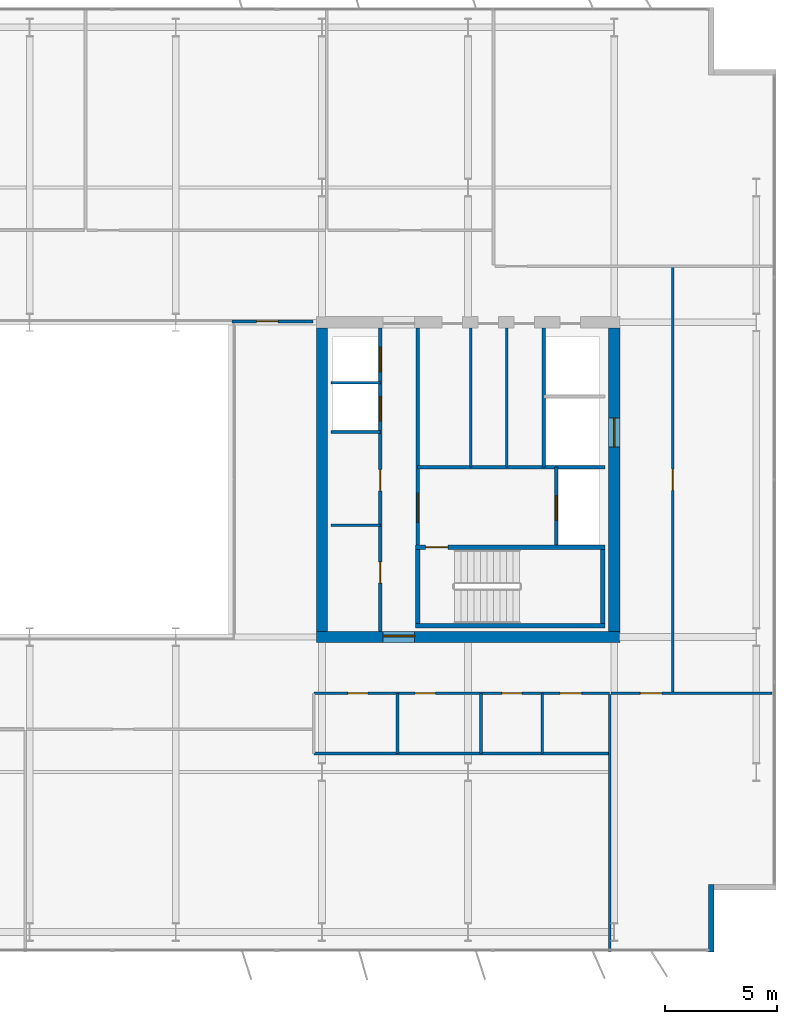
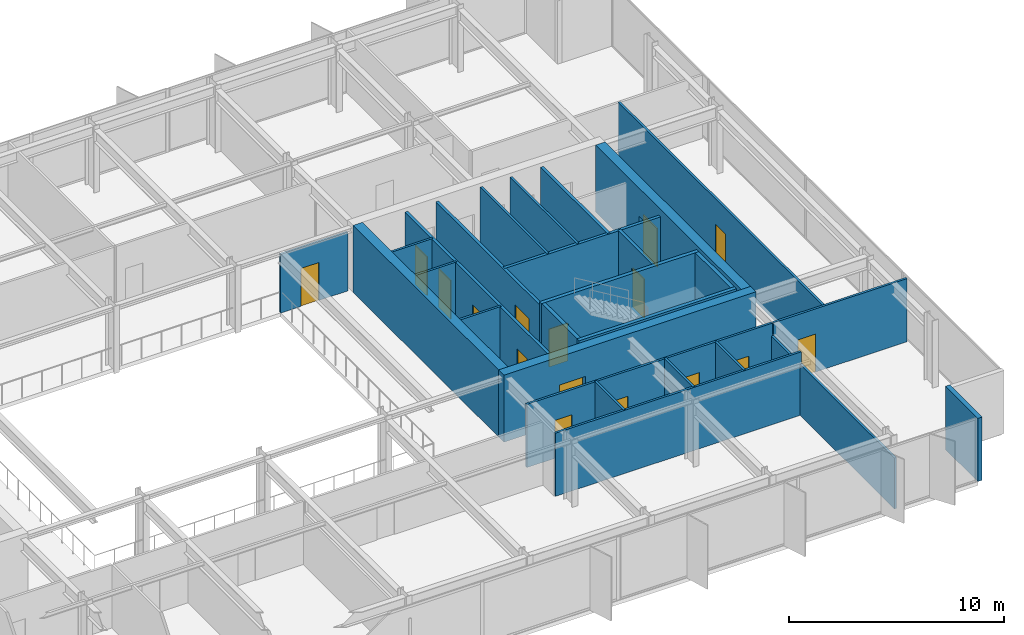
# One storey, part 18 of 23: 27 walls, 16 doors, 16 openings.
"""IFC4 building model written with IfcOpenShell, lengths in metres."""

import ifcopenshell
import ifcopenshell.guid

model = None  # the IFC model being written
_history = None  # IfcOwnerHistory: only IFC2X3 demands one
_inside = {}  # id of a spatial element -> (the spatial element, [elements in it])
_under = {}  # id of a project, library or spatial element -> (it, [spatial elements below it])
_declared = {}  # id of a project -> (the project, [libraries it declares])
_typed = {}  # id of a type object -> (the type object, [elements of that type])
_made_of = {}  # id of a material, layer set ... -> (it, [elements and type objects made of it])


def new_model(schema):
    """Start an empty IFC model of exactly this schema.

    Asked for "IFC4X3", IfcOpenShell would pick the latest addendum, in which some entities
    have other attributes; the version numbers below select the first issue.
    IFC2X3 requires an IfcOwnerHistory on every rooted entity: one is made here for all.
    """
    global model, _history
    if schema == "IFC4X3":
        model = ifcopenshell.file(schema_version=(4, 3, 0, 0))
    else:
        model = ifcopenshell.file(schema=schema)
    _inside.clear()
    _under.clear()
    _declared.clear()
    _typed.clear()
    _made_of.clear()
    _history = None
    if model.schema == "IFC2X3":
        org = make("IfcOrganization", Name="unknown")
        user = make(
            "IfcPersonAndOrganization",
            ThePerson=make("IfcPerson", FamilyName="unknown"),
            TheOrganization=org,
        )
        app = make(
            "IfcApplication",
            ApplicationDeveloper=org,
            Version="unknown",
            ApplicationFullName="unknown",
            ApplicationIdentifier="unknown",
        )
        _history = make(
            "IfcOwnerHistory",
            OwningUser=user,
            OwningApplication=app,
            ChangeAction="ADDED",
            CreationDate=0,
        )
    return model


def make(cls, **values):
    """One entity of the class cls with the attributes given. An attribute that is None is left unset."""
    return model.create_entity(
        cls, **{name: value for name, value in values.items() if value is not None}
    )


def rooted(cls, **values):
    """An entity with a GlobalId (a new one), such as an element, a storey or a relation."""
    return make(cls, GlobalId=ifcopenshell.guid.new(), OwnerHistory=_history, **values)


def si_unit(unit_type, name, prefix=None):
    """IfcSIUnit, for example si_unit("LENGTHUNIT", "METRE", prefix="MILLI")."""
    return make("IfcSIUnit", UnitType=unit_type, Prefix=prefix, Name=name)


def assignment(units):
    """IfcUnitAssignment: the units of a project."""
    return None if units is None else make("IfcUnitAssignment", Units=units)


def point(xyz):
    """IfcCartesianPoint."""
    return None if xyz is None else make("IfcCartesianPoint", Coordinates=xyz)


def direction(xyz):
    """IfcDirection."""
    return None if xyz is None else make("IfcDirection", DirectionRatios=xyz)


def frame(location, z_axis=None, x_axis=None):
    """IfcAxis2Placement3D, a coordinate frame: its origin and axes. An axis left out is left unset."""
    return make(
        "IfcAxis2Placement3D",
        Location=point(location),
        Axis=direction(z_axis),
        RefDirection=direction(x_axis),
    )


def frame_2d(location, x_axis=None):
    """IfcAxis2Placement2D, a coordinate frame in the plane: its origin and x axis."""
    return make(
        "IfcAxis2Placement2D", Location=point(location), RefDirection=direction(x_axis)
    )


def origin():
    """The frame at (0, 0, 0) with its axes left unset."""
    return frame((0.0, 0.0, 0.0))


def place(relative_to, where):
    """IfcLocalPlacement: puts the frame where relative to a parent placement (None: the world)."""
    return make(
        "IfcLocalPlacement", PlacementRelTo=relative_to, RelativePlacement=where
    )


def context(
    kind, dimensions, precision=None, world=None, true_north=None, identifier=None
):
    """IfcGeometricRepresentationContext, for example the 3D "Model" context."""
    return make(
        "IfcGeometricRepresentationContext",
        ContextIdentifier=identifier,
        ContextType=kind,
        CoordinateSpaceDimension=dimensions,
        Precision=precision,
        WorldCoordinateSystem=world,
        TrueNorth=true_north,
    )


def subcontext(parent, identifier, kind, view, scale=None):
    """IfcGeometricRepresentationSubContext, for example "Body" below "Model"."""
    return make(
        "IfcGeometricRepresentationSubContext",
        ContextIdentifier=identifier,
        ContextType=kind,
        ParentContext=parent,
        TargetScale=scale,
        TargetView=view,
    )


def project(units=None, contexts=None):
    """IfcProject with its units and contexts."""
    return rooted(
        "IfcProject",
        Name="project",
        RepresentationContexts=contexts,
        UnitsInContext=assignment(units),
    )


def spatial(cls, under=None, at=None, **own):
    """A site, building, storey or space (cls), placed at a placement, below another one or the project."""
    s = rooted(cls, ObjectPlacement=at, **own)
    if under is not None:
        _under.setdefault(under.id(), (under, []))[1].append(s)
    return s


def profile(cls, at=None, kind="AREA", **sizes):
    """A parametric profile (cls). Its sizes go by their IFC names, for example OverallWidth=200.0."""
    return make(cls, ProfileType=kind, Position=at, **sizes)


def rectangle(**sizes):
    """IfcRectangleProfileDef."""
    return profile("IfcRectangleProfileDef", **sizes)


def extrude(swept, where, along, depth):
    """IfcExtrudedAreaSolid: the profile swept, set in the frame where, extruded along a direction by depth."""
    return make(
        "IfcExtrudedAreaSolid",
        SweptArea=swept,
        Position=where,
        ExtrudedDirection=direction(along),
        Depth=depth,
    )


def shape(context_of_items, identifier, shape_type, items):
    """IfcShapeRepresentation: the items that make up one representation, for example the "Body"."""
    return make(
        "IfcShapeRepresentation",
        ContextOfItems=context_of_items,
        RepresentationIdentifier=identifier,
        RepresentationType=shape_type,
        Items=items,
    )


def material(Name=None, Category=None):
    """IfcMaterial."""
    return make("IfcMaterial", Name=Name, Category=Category)


def layer(
    of_material, thickness, ventilated=None, Name=None, Category=None, Priority=None
):
    """IfcMaterialLayer: one layer of a wall or slab, of a material (None: an air gap)."""
    return make(
        "IfcMaterialLayer",
        Material=of_material,
        LayerThickness=thickness,
        IsVentilated=ventilated,
        Name=Name,
        Category=Category,
        Priority=Priority,
    )


def layer_set(layers, Name=None):
    """IfcMaterialLayerSet."""
    return make("IfcMaterialLayerSet", MaterialLayers=layers, LayerSetName=Name)


def made_of(thing, what):
    """Note that an element or type object is made of a material, layer set ...; save() writes the relation."""
    if what is not None:
        _made_of.setdefault(what.id(), (what, []))[1].append(thing)
    return thing


def type_object(cls, material=None, **own):
    """A type object (cls), such as IfcWallType, which elements share."""
    return made_of(rooted(cls, **own), material)


def element(
    cls,
    number,
    at=None,
    inside=None,
    cuts=None,
    type_object=None,
    material=None,
    context=None,
    identifier="Body",
    shape_type=None,
    held_by="IfcProductDefinitionShape",
    body=None,
    shapes=None,
    **own,
):
    """One element of the class cls, such as IfcWall. Its Tag is "e" and its number.

    at: its placement. inside: the storey or other place that contains it. cuts: it is an
    opening in that element (IfcRelVoidsElement). A single representation is given by context,
    identifier, shape_type and body (its items); several are given by shapes. held_by: the class
    of the entity that holds the representations. save() writes the other relations.
    """
    e = rooted(cls, Tag="e%d" % number, ObjectPlacement=at, **own)
    if body is not None:
        shapes = [shape(context, identifier, shape_type, body)]
    if shapes is not None:
        e.Representation = make(held_by, Representations=shapes)
    if inside is not None:
        _inside.setdefault(inside.id(), (inside, []))[1].append(e)
    if cuts is not None:
        rooted(
            "IfcRelVoidsElement", RelatingBuildingElement=cuts, RelatedOpeningElement=e
        )
    if type_object is not None:
        _typed.setdefault(type_object.id(), (type_object, []))[1].append(e)
    return made_of(e, material)


def fill(opening, filler):
    """IfcRelFillsElement: the door or window that sits in an opening."""
    return rooted(
        "IfcRelFillsElement",
        RelatingOpeningElement=opening,
        RelatedBuildingElement=filler,
    )


def aggregate(whole, parts):
    """IfcRelAggregates: a whole, such as a stair, and the parts it consists of."""
    return rooted("IfcRelAggregates", RelatingObject=whole, RelatedObjects=parts)


def save(model, path):
    """Write the relations noted so far, then the file.

    IfcRelAggregates (storeys below a building ...), IfcRelContainedInSpatialStructure (elements
    in a storey), IfcRelDefinesByType, IfcRelAssociatesMaterial and IfcRelDeclares: one each for
    every whole, place, type object, material and project.
    """
    for whole, parts in _under.values():
        aggregate(whole, parts)
    for where, things in _inside.values():
        rooted(
            "IfcRelContainedInSpatialStructure",
            RelatedElements=things,
            RelatingStructure=where,
        )
    for kind, things in _typed.values():
        rooted("IfcRelDefinesByType", RelatedObjects=things, RelatingType=kind)
    for what, things in _made_of.values():
        rooted("IfcRelAssociatesMaterial", RelatedObjects=things, RelatingMaterial=what)
    for by, libraries in _declared.values():
        rooted("IfcRelDeclares", RelatingContext=by, RelatedDefinitions=libraries)
    model.write(path)


model = new_model("IFC4")

# Units and contexts
model_context = context("Model", 3, precision=1e-05, world=origin(), true_north=direction((0.0, 1.0)))
body_context = subcontext(model_context, "Body", "Model", "MODEL_VIEW")
ifc_project = project(units=[si_unit("LENGTHUNIT", "METRE"), si_unit("AREAUNIT", "SQUARE_METRE"), si_unit("VOLUMEUNIT", "CUBIC_METRE"), si_unit("PLANEANGLEUNIT", "RADIAN"), si_unit("MASSUNIT", "GRAM", prefix="KILO")], contexts=[model_context])

# Site, building, storey
site_placement = place(None, origin())
site = spatial("IfcSite", under=ifc_project, at=site_placement, CompositionType="ELEMENT")
building_placement = place(site_placement, origin())
building = spatial("IfcBuilding", under=site, at=building_placement, Name="Putna Gate Headquarters", CompositionType="ELEMENT")
storey_placement = place(building_placement, frame((0.0, 0.0, 217.60009765625)))
storey = spatial("IfcBuildingStorey", under=building, at=storey_placement, Name="L54", CompositionType="ELEMENT", Elevation=217.60009765625)

# Wall, opening, door
ifc_material_1 = material(Name="Concrete C50/60", Category="concrete")
ifc_layer_1 = layer(ifc_material_1, 0.5)
ifc_layer_set_1 = layer_set([ifc_layer_1], Name="Concrete C50/60")
wall_type_1 = type_object("IfcWallType", Name="WALL-CORE-500", PredefinedType="SHEAR", material=ifc_layer_set_1)
wall_1_placement = place(storey_placement, frame((51.75, 19.0, 0.0), z_axis=(0.0, 0.0, 1.0), x_axis=(1.0, 0.0, 0.0)))
wall_1 = element("IfcWall", 1, at=wall_1_placement, inside=storey, type_object=wall_type_1, Name="L54 EC Split Core Shear Wall S", PredefinedType="SHEAR", context=body_context, shape_type="SweptSolid", body=[
    extrude(rectangle(XDim=13.5, YDim=0.5, at=frame_2d((6.75, 0.0))), origin(), (0.0, 0.0, 1.0), 3.7998046875),
])
opening_1_placement = place(wall_1_placement, frame((2.969970703125, 0.0, 0.0)))
opening_1 = element("IfcOpeningElement", 2, at=opening_1_placement, cuts=wall_1, Name="Opening FDD-140", PredefinedType="OPENING", context=body_context, shape_type="SweptSolid", body=[
    extrude(rectangle(XDim=1.39990234375, YDim=2.199951171875, at=frame_2d((0.699951171875, 1.10009765625))), frame((0.0, 0.260009765625, 0.0), z_axis=(0.0, -1.0, 0.0), x_axis=(1.0, 0.0, 0.0)), (0.0, 0.0, 1.0), 0.52001953125),
])
ifc_material_2 = material(Name="Double steel fire door", Category="steel")
door_type_1 = type_object("IfcDoorType", Name="DOOR-FIRE-DBL-1400", OperationType="DOUBLE_DOOR_SINGLE_SWING", PredefinedType="DOOR", material=ifc_material_2)
door_1_placement = place(opening_1_placement, origin())
door_1 = element("IfcDoor", 3, at=door_1_placement, inside=storey, type_object=door_type_1, Name="L54 East Lift Lobby South Door", OperationType="DOUBLE_DOOR_SINGLE_SWING", OverallHeight=2.199951171875, OverallWidth=1.39990234375, PredefinedType="DOOR", context=body_context, shape_type="SweptSolid", body=[
    extrude(rectangle(XDim=1.39990234375, YDim=2.199951171875, at=frame_2d((0.699951171875, 1.10009765625))), frame((0.0, 0.0751953125, 0.0), z_axis=(0.0, -1.0, 0.0), x_axis=(1.0, 0.0, 0.0)), (0.0, 0.0, 1.0), 0.050048828125),
])
fill(opening_1, door_1)

# Wall
wall_2_placement = place(storey_placement, frame((52.0, 19.25, 0.0), z_axis=(0.0, 0.0, 1.0), x_axis=(0.0, 1.0, 0.0)))
element("IfcWall", 4, at=wall_2_placement, inside=storey, type_object=wall_type_1, Name="L54 EC Split Core Shear Wall W", PredefinedType="SHEAR", context=body_context, shape_type="SweptSolid", body=[
    extrude(rectangle(XDim=13.5, YDim=0.5, at=frame_2d((6.75, 0.0))), origin(), (0.0, 0.0, 1.0), 3.7998046875),
])

# Wall, opening, door
wall_3_placement = place(storey_placement, frame((65.0, 19.25, 0.0), z_axis=(0.0, 0.0, 1.0), x_axis=(0.0, 1.0, 0.0)))
wall_3 = element("IfcWall", 5, at=wall_3_placement, inside=storey, type_object=wall_type_1, Name="L54 EC Split Core Shear Wall E", PredefinedType="SHEAR", context=body_context, shape_type="SweptSolid", body=[
    extrude(rectangle(XDim=13.5, YDim=0.5, at=frame_2d((6.75, 0.0))), origin(), (0.0, 0.0, 1.0), 3.7998046875),
])
opening_2_placement = place(wall_3_placement, frame((8.199951171875, 0.0, 0.0)))
opening_2 = element("IfcOpeningElement", 6, at=opening_2_placement, cuts=wall_3, Name="Opening LD-2", PredefinedType="OPENING", context=body_context, shape_type="SweptSolid", body=[
    extrude(rectangle(XDim=1.300048828125, YDim=2.199951171875, at=frame_2d((0.64990234375, 1.10009765625))), frame((0.0, 0.260009765625, 0.0), z_axis=(0.0, -1.0, 0.0), x_axis=(1.0, 0.0, 0.0)), (0.0, 0.0, 1.0), 0.52001953125),
])
ifc_material_3 = material(Name="Heavy-duty goods lift sliding landing door")
door_type_2 = type_object("IfcDoorType", Name="DOOR-LIFT-1300", OperationType="DOUBLE_DOOR_SLIDING", PredefinedType="DOOR", material=ifc_material_3)
door_2_placement = place(opening_2_placement, origin())
door_2 = element("IfcDoor", 7, at=door_2_placement, inside=storey, type_object=door_type_2, Name="L54 Goods Lift Landing Door LD-15", OperationType="DOUBLE_DOOR_SLIDING", OverallHeight=2.199951171875, OverallWidth=1.300048828125, PredefinedType="DOOR", context=body_context, shape_type="SweptSolid", body=[
    extrude(rectangle(XDim=1.300048828125, YDim=2.199951171875, at=frame_2d((0.64990234375, 1.10009765625))), frame((0.0, 0.02490234375, 0.0), z_axis=(0.0, -1.0, 0.0), x_axis=(1.0, 0.0, 0.0)), (0.0, 0.0, 1.0), 0.050048828125),
])
fill(opening_2, door_2)

# Wall
ifc_material_4 = material(Name="Precast concrete C40/50", Category="concrete")
ifc_layer_2 = layer(ifc_material_4, 0.239990234375)
ifc_layer_set_2 = layer_set([ifc_layer_2], Name="Precast concrete C40/50")
wall_type_2 = type_object("IfcWallType", Name="WALL-EXT-TERR-240", PredefinedType="STANDARD", material=ifc_layer_set_2)
wall_4_placement = place(storey_placement, frame((69.320068359375, 8.0, 0.0), z_axis=(0.0, 0.0, 1.0), x_axis=(0.0, -1.0, 0.0)))
element("IfcWall", 8, at=wall_4_placement, inside=storey, type_object=wall_type_2, Name="L54 Corner Notch Return Wall SE-V", PredefinedType="STANDARD", context=body_context, shape_type="SweptSolid", body=[
    extrude(rectangle(XDim=3.0, YDim=0.239990234375, at=frame_2d((1.5, 0.0))), origin(), (0.0, 0.0, 1.0), 3.579833984375),
])

# Wall, opening, door
ifc_material_5 = material(Name="Acoustic gypsum board on metal stud")
ifc_layer_3 = layer(ifc_material_5, 0.1201171875)
ifc_layer_set_3 = layer_set([ifc_layer_3], Name="Acoustic gypsum board on metal stud")
wall_type_3 = type_object("IfcWallType", Name="WALL-PART-120", PredefinedType="PARTITIONING", material=ifc_layer_set_3)
wall_5_placement = place(storey_placement, frame((48.0, 33.0400390625, 0.0), z_axis=(0.0, 0.0, 1.0), x_axis=(1.0, 0.0, 0.0)))
wall_5 = element("IfcWall", 9, at=wall_5_placement, inside=storey, type_object=wall_type_3, Name="L54 Interior Wall PART-L54-ATR-E-N", PredefinedType="PARTITIONING", context=body_context, shape_type="SweptSolid", body=[
    extrude(rectangle(XDim=3.60009765625, YDim=0.1201171875, at=frame_2d((1.800048828125, 0.0))), origin(), (0.0, 0.0, 1.0), 3.31982421875),
])
opening_3_placement = place(wall_5_placement, frame((1.10009765625, 0.0, 0.0)))
opening_3 = element("IfcOpeningElement", 10, at=opening_3_placement, cuts=wall_5, Name="Opening ID-95", PredefinedType="OPENING", context=body_context, shape_type="SweptSolid", body=[
    extrude(rectangle(XDim=0.949951171875, YDim=2.14990234375, at=frame_2d((0.47509765625, 1.074951171875))), frame((0.0, 0.070068359375, 0.0), z_axis=(0.0, -1.0, 0.0), x_axis=(1.0, 0.0, 0.0)), (0.0, 0.0, 1.0), 0.14013671875),
])
ifc_material_6 = material(Name="Veneered acoustic timber door", Category="wood")
door_type_3 = type_object("IfcDoorType", Name="DOOR-OFF-950", OperationType="NOTDEFINED", PredefinedType="DOOR", material=ifc_material_6)
door_3_placement = place(opening_3_placement, origin())
door_3 = element("IfcDoor", 11, at=door_3_placement, inside=storey, type_object=door_type_3, Name="L54 East Sky Atrium Lounge Door", OperationType="SINGLE_SWING_LEFT", OverallHeight=2.14990234375, OverallWidth=0.949951171875, PredefinedType="DOOR", context=body_context, shape_type="SweptSolid", body=[
    extrude(rectangle(XDim=0.949951171875, YDim=2.14990234375, at=frame_2d((0.47509765625, 1.074951171875))), frame((0.0, 0.02490234375, 0.0), z_axis=(0.0, -1.0, 0.0), x_axis=(1.0, 0.0, 0.0)), (0.0, 0.0, 1.0), 0.050048828125),
])
fill(opening_3, door_3)

# Walls
wall_6_placement = place(storey_placement, frame((64.800048828125, 5.02001953125, 0.0), z_axis=(0.0, 0.0, 1.0), x_axis=(0.0, 1.0, 0.0)))
element("IfcWall", 12, at=wall_6_placement, inside=storey, type_object=wall_type_3, Name="L54 Interior Wall PART-L54-SB-DIV-07", PredefinedType="PARTITIONING", context=body_context, shape_type="SweptSolid", body=[
    extrude(rectangle(XDim=11.419921875, YDim=0.1201171875, at=frame_2d((5.7099609375, 0.0))), origin(), (0.0, 0.0, 1.0), 2.8798828125),
])
ifc_material_7 = material(Name="Fire-rated shaftwall gypsum board on metal stud")
ifc_layer_4 = layer(ifc_material_7, 0.1201171875)
ifc_layer_set_4 = layer_set([ifc_layer_4], Name="Fire-rated shaftwall gypsum board on metal stud")
wall_type_4 = type_object("IfcWallType", Name="WALL-PART-120-EI120", PredefinedType="PARTITIONING", material=ifc_layer_set_4)
wall_7_placement = place(storey_placement, frame((52.39990234375, 30.31005859375, 0.0), z_axis=(0.0, 0.0, 1.0), x_axis=(1.0, 0.0, 0.0)))
element("IfcWall", 13, at=wall_7_placement, inside=storey, type_object=wall_type_4, Name="L54 Interior Wall CWINT-L54-EC-LF11-DIV", PredefinedType="PARTITIONING", context=body_context, shape_type="SweptSolid", body=[
    extrude(rectangle(XDim=2.2001953125, YDim=0.1201171875, at=frame_2d((1.10009765625, 0.0))), origin(), (0.0, 0.0, 1.0), 3.579833984375),
])
ifc_material_8 = material(Name="Fire-rated gypsum board on metal stud")
ifc_layer_5 = layer(ifc_material_8, 0.1201171875)
ifc_layer_set_5 = layer_set([ifc_layer_5], Name="Fire-rated gypsum board on metal stud")
wall_type_5 = type_object("IfcWallType", Name="WALL-PART-120-RATED", PredefinedType="PARTITIONING", material=ifc_layer_set_5)
for number, where, z_axis, x_axis, name in (
    (14, (52.39990234375, 23.969970703125, 0.0), (0.0, 0.0, 1.0), (1.0, 0.0, 0.0), "L54 Interior Wall CWINT-L54-EC-REUSE-DIV"),
    (15, (52.39990234375, 28.1201171875, 0.0), (0.0, 0.0, 1.0), (1.0, 0.0, 0.0), "L54 Interior Wall CWINT-L54-EC-LF08-DIV"),
):
    element("IfcWall", number, at=place(storey_placement, frame(where, z_axis=z_axis, x_axis=x_axis)), inside=storey, type_object=wall_type_5, Name=name, PredefinedType="PARTITIONING", context=body_context, shape_type="SweptSolid", body=[
        extrude(rectangle(XDim=2.2001953125, YDim=0.1201171875, at=frame_2d((1.10009765625, 0.0))), origin(), (0.0, 0.0, 1.0), 3.579833984375),
    ])
for number, where, z_axis, x_axis, name in (
    (16, (58.6201171875, 26.56005859375, 0.0), (0.0, 0.0, 1.0), (0.0, 1.0, 0.0), "L54 Interior Wall CWINT-L54-EC-K2-D1"),
    (17, (60.219970703125, 26.56005859375, 0.0), (0.0, 0.0, 1.0), (0.0, 1.0, 0.0), "L54 Interior Wall CWINT-L54-EC-K2-D2"),
):
    element("IfcWall", number, at=place(storey_placement, frame(where, z_axis=z_axis, x_axis=x_axis)), inside=storey, type_object=wall_type_5, Name=name, PredefinedType="PARTITIONING", context=body_context, shape_type="SweptSolid", body=[
        extrude(rectangle(XDim=6.18994140625, YDim=0.1201171875, at=frame_2d((3.094970703125, 0.0))), origin(), (0.0, 0.0, 1.0), 3.579833984375),
    ])

# Wall, openings, doors
wall_8_placement = place(storey_placement, frame((51.639892578125, 16.5, 0.0), z_axis=(0.0, 0.0, 1.0), x_axis=(1.0, 0.0, 0.0)))
wall_8 = element("IfcWall", 18, at=wall_8_placement, inside=storey, type_object=wall_type_5, Name="L54 Interior Wall PART-L54-SAN-CW", PredefinedType="PARTITIONING", context=body_context, shape_type="SweptSolid", body=[
    extrude(rectangle(XDim=13.16015625, YDim=0.1201171875, at=frame_2d((6.580078125, 0.0))), origin(), (0.0, 0.0, 1.0), 3.579833984375),
])
opening_4_placement = place(wall_8_placement, frame((1.510009765625, 0.0, 0.0)))
opening_4 = element("IfcOpeningElement", 19, at=opening_4_placement, cuts=wall_8, Name="Opening FD-90", PredefinedType="OPENING", context=body_context, shape_type="SweptSolid", body=[
    extrude(rectangle(XDim=0.89990234375, YDim=2.14990234375, at=frame_2d((0.449951171875, 1.074951171875))), frame((0.0, 0.070068359375, 0.0), z_axis=(0.0, -1.0, 0.0), x_axis=(1.0, 0.0, 0.0)), (0.0, 0.0, 1.0), 0.14013671875),
])
opening_5_placement = place(wall_8_placement, frame((4.510009765625, 0.0, 0.0)))
opening_5 = element("IfcOpeningElement", 20, at=opening_5_placement, cuts=wall_8, Name="Opening FD-90", PredefinedType="OPENING", context=body_context, shape_type="SweptSolid", body=[
    extrude(rectangle(XDim=0.89990234375, YDim=2.14990234375, at=frame_2d((0.449951171875, 1.074951171875))), frame((0.0, 0.070068359375, 0.0), z_axis=(0.0, -1.0, 0.0), x_axis=(1.0, 0.0, 0.0)), (0.0, 0.0, 1.0), 0.14013671875),
])
opening_6_placement = place(wall_8_placement, frame((8.360107421875, 0.0, 0.0)))
opening_6 = element("IfcOpeningElement", 21, at=opening_6_placement, cuts=wall_8, Name="Opening FD-90", PredefinedType="OPENING", context=body_context, shape_type="SweptSolid", body=[
    extrude(rectangle(XDim=0.89990234375, YDim=2.14990234375, at=frame_2d((0.449951171875, 1.074951171875))), frame((0.0, 0.070068359375, 0.0), z_axis=(0.0, -1.0, 0.0), x_axis=(1.0, 0.0, 0.0)), (0.0, 0.0, 1.0), 0.14013671875),
])
opening_7_placement = place(wall_8_placement, frame((10.9599609375, 0.0, 0.0)))
opening_7 = element("IfcOpeningElement", 22, at=opening_7_placement, cuts=wall_8, Name="Opening FD-95", PredefinedType="OPENING", context=body_context, shape_type="SweptSolid", body=[
    extrude(rectangle(XDim=0.949951171875, YDim=2.14990234375, at=frame_2d((0.47509765625, 1.074951171875))), frame((0.0, 0.070068359375, 0.0), z_axis=(0.0, -1.0, 0.0), x_axis=(1.0, 0.0, 0.0)), (0.0, 0.0, 1.0), 0.14013671875),
])
ifc_material_9 = material(Name="Acoustic washroom fire door")
door_type_4 = type_object("IfcDoorType", Name="DOOR-FIRE-900", OperationType="NOTDEFINED", PredefinedType="DOOR", material=ifc_material_9)
door_4_placement = place(opening_4_placement, origin())
door_4 = element("IfcDoor", 23, at=door_4_placement, inside=storey, type_object=door_type_4, Name="L54 Washroom Male Door", OperationType="SINGLE_SWING_RIGHT", OverallHeight=2.14990234375, OverallWidth=0.89990234375, PredefinedType="DOOR", context=body_context, shape_type="SweptSolid", body=[
    extrude(rectangle(XDim=0.89990234375, YDim=2.14990234375, at=frame_2d((0.449951171875, 1.074951171875))), frame((0.0, 0.02490234375, 0.0), z_axis=(0.0, -1.0, 0.0), x_axis=(1.0, 0.0, 0.0)), (0.0, 0.0, 1.0), 0.050048828125),
])
fill(opening_4, door_4)
door_5_placement = place(opening_5_placement, origin())
door_5 = element("IfcDoor", 24, at=door_5_placement, inside=storey, type_object=door_type_4, Name="L54 Washroom Female Door", OperationType="SINGLE_SWING_LEFT", OverallHeight=2.14990234375, OverallWidth=0.89990234375, PredefinedType="DOOR", context=body_context, shape_type="SweptSolid", body=[
    extrude(rectangle(XDim=0.89990234375, YDim=2.14990234375, at=frame_2d((0.449951171875, 1.074951171875))), frame((0.0, 0.02490234375, 0.0), z_axis=(0.0, -1.0, 0.0), x_axis=(1.0, 0.0, 0.0)), (0.0, 0.0, 1.0), 0.050048828125),
])
fill(opening_5, door_5)
door_6_placement = place(opening_6_placement, origin())
door_6 = element("IfcDoor", 25, at=door_6_placement, inside=storey, type_object=door_type_4, Name="L54 Accessible WC Door", OperationType="SINGLE_SWING_RIGHT", OverallHeight=2.14990234375, OverallWidth=0.89990234375, PredefinedType="DOOR", context=body_context, shape_type="SweptSolid", body=[
    extrude(rectangle(XDim=0.89990234375, YDim=2.14990234375, at=frame_2d((0.449951171875, 1.074951171875))), frame((0.0, 0.02490234375, 0.0), z_axis=(0.0, -1.0, 0.0), x_axis=(1.0, 0.0, 0.0)), (0.0, 0.0, 1.0), 0.050048828125),
])
fill(opening_6, door_6)
ifc_material_10 = material(Name="Acoustic timber fire door", Category="wood")
door_type_5 = type_object("IfcDoorType", Name="DOOR-FIRE-950", OperationType="NOTDEFINED", PredefinedType="DOOR", material=ifc_material_10)
door_7_placement = place(opening_7_placement, origin())
door_7 = element("IfcDoor", 26, at=door_7_placement, inside=storey, type_object=door_type_5, Name="L54 Staff Pantry and Tea Point Door", OperationType="SINGLE_SWING_LEFT", OverallHeight=2.14990234375, OverallWidth=0.949951171875, PredefinedType="DOOR", context=body_context, shape_type="SweptSolid", body=[
    extrude(rectangle(XDim=0.949951171875, YDim=2.14990234375, at=frame_2d((0.47509765625, 1.074951171875))), frame((0.0, 0.02490234375, 0.0), z_axis=(0.0, -1.0, 0.0), x_axis=(1.0, 0.0, 0.0)), (0.0, 0.0, 1.0), 0.050048828125),
])
fill(opening_7, door_7)

# Walls
wall_9_placement = place(storey_placement, frame((51.639892578125, 13.820068359375, 0.0), z_axis=(0.0, 0.0, 1.0), x_axis=(1.0, 0.0, 0.0)))
element("IfcWall", 27, at=wall_9_placement, inside=storey, type_object=wall_type_5, Name="L54 Interior Wall PART-L54-SAN-BACK", PredefinedType="PARTITIONING", context=body_context, shape_type="SweptSolid", body=[
    extrude(rectangle(XDim=13.16015625, YDim=0.1201171875, at=frame_2d((6.580078125, 0.0))), origin(), (0.0, 0.0, 1.0), 3.579833984375),
])
for number, where, z_axis, x_axis, name in (
    (28, (55.360107421875, 13.820068359375, 0.0), (0.0, 0.0, 1.0), (0.0, 1.0, 0.0), "L54 Interior Wall PART-L54-SAN-DIV-2"),
    (29, (59.080078125, 13.820068359375, 0.0), (0.0, 0.0, 1.0), (0.0, 1.0, 0.0), "L54 Interior Wall PART-L54-SAN-DIV-3"),
    (30, (61.800048828125, 13.820068359375, 0.0), (0.0, 0.0, 1.0), (0.0, 1.0, 0.0), "L54 Interior Wall PART-L54-SAN-DIV-4"),
):
    element("IfcWall", number, at=place(storey_placement, frame(where, z_axis=z_axis, x_axis=x_axis)), inside=storey, type_object=wall_type_5, Name=name, PredefinedType="PARTITIONING", context=body_context, shape_type="SweptSolid", body=[
        extrude(rectangle(XDim=2.679931640625, YDim=0.1201171875, at=frame_2d((1.33984375, 0.0))), origin(), (0.0, 0.0, 1.0), 3.579833984375),
    ])

# Wall, opening, door
wall_10_placement = place(storey_placement, frame((64.860107421875, 16.5, 0.0), z_axis=(0.0, 0.0, 1.0), x_axis=(1.0, 0.0, 0.0)))
wall_10 = element("IfcWall", 31, at=wall_10_placement, inside=storey, type_object=wall_type_5, Name="L54 Interior Wall PART-L54-SB-CW-08", PredefinedType="PARTITIONING", context=body_context, shape_type="SweptSolid", body=[
    extrude(rectangle(XDim=7.159912109375, YDim=0.1201171875, at=frame_2d((3.580078125, 0.0))), origin(), (0.0, 0.0, 1.0), 3.579833984375),
])
opening_8_placement = place(wall_10_placement, frame((1.31005859375, 0.0, 0.0)))
opening_8 = element("IfcOpeningElement", 32, at=opening_8_placement, cuts=wall_10, Name="Opening FD-95", PredefinedType="OPENING", context=body_context, shape_type="SweptSolid", body=[
    extrude(rectangle(XDim=0.949951171875, YDim=2.14990234375, at=frame_2d((0.47509765625, 1.074951171875))), frame((0.0, 0.070068359375, 0.0), z_axis=(0.0, -1.0, 0.0), x_axis=(1.0, 0.0, 0.0)), (0.0, 0.0, 1.0), 0.14013671875),
])
door_8_placement = place(opening_8_placement, origin())
door_8 = element("IfcDoor", 33, at=door_8_placement, inside=storey, type_object=door_type_5, Name="L54 Quiet Wellness Focus Studio 3 Door", OperationType="SINGLE_SWING_LEFT", OverallHeight=2.14990234375, OverallWidth=0.949951171875, PredefinedType="DOOR", context=body_context, shape_type="SweptSolid", body=[
    extrude(rectangle(XDim=0.949951171875, YDim=2.14990234375, at=frame_2d((0.47509765625, 1.074951171875))), frame((0.0, 0.02490234375, 0.0), z_axis=(0.0, -1.0, 0.0), x_axis=(1.0, 0.0, 0.0)), (0.0, 0.0, 1.0), 0.050048828125),
])
fill(opening_8, door_8)

wall_11_placement = place(storey_placement, frame((67.60009765625, 16.5, 0.0), z_axis=(0.0, 0.0, 1.0), x_axis=(0.0, 1.0, 0.0)))
wall_11 = element("IfcWall", 34, at=wall_11_placement, inside=storey, type_object=wall_type_5, Name="L54 Interior Wall PART-L54-EW-CW-1", PredefinedType="PARTITIONING", context=body_context, shape_type="SweptSolid", body=[
    extrude(rectangle(XDim=19.0, YDim=0.1201171875, at=frame_2d((9.5, 0.0))), origin(), (0.0, 0.0, 1.0), 3.579833984375),
])
opening_9_placement = place(wall_11_placement, frame((9.02490234375, 0.0, 0.0)))
opening_9 = element("IfcOpeningElement", 35, at=opening_9_placement, cuts=wall_11, Name="Opening FD-95", PredefinedType="OPENING", context=body_context, shape_type="SweptSolid", body=[
    extrude(rectangle(XDim=0.949951171875, YDim=2.14990234375, at=frame_2d((0.47509765625, 1.074951171875))), frame((0.0, 0.070068359375, 0.0), z_axis=(0.0, -1.0, 0.0), x_axis=(1.0, 0.0, 0.0)), (0.0, 0.0, 1.0), 0.14013671875),
])
door_9_placement = place(opening_9_placement, origin())
door_9 = element("IfcDoor", 36, at=door_9_placement, inside=storey, type_object=door_type_5, Name="L54 East Advisory Office 1 Door", OperationType="SINGLE_SWING_RIGHT", OverallHeight=2.14990234375, OverallWidth=0.949951171875, PredefinedType="DOOR", context=body_context, shape_type="SweptSolid", body=[
    extrude(rectangle(XDim=0.949951171875, YDim=2.14990234375, at=frame_2d((0.47509765625, 1.074951171875))), frame((0.0, 0.02490234375, 0.0), z_axis=(0.0, -1.0, 0.0), x_axis=(1.0, 0.0, 0.0)), (0.0, 0.0, 1.0), 0.050048828125),
])
fill(opening_9, door_9)

# Wall, openings, doors
ifc_material_11 = material(Name="Concrete C40/50", Category="concrete")
ifc_layer_6 = layer(ifc_material_11, 0.159912109375)
ifc_layer_set_6 = layer_set([ifc_layer_6], Name="Concrete C40/50")
wall_type_6 = type_object("IfcWallType", Name="WALL-SHAFT-160", PredefinedType="STANDARD", material=ifc_layer_set_6)
wall_12_placement = place(storey_placement, frame((54.60009765625, 19.25, 0.0), z_axis=(0.0, 0.0, 1.0), x_axis=(0.0, 1.0, 0.0)))
wall_12 = element("IfcWall", 37, at=wall_12_placement, inside=storey, type_object=wall_type_6, Name="L54 Interior Wall CWINT-L54-EC-PL-WALL", PredefinedType="STANDARD", context=body_context, shape_type="SweptSolid", body=[
    extrude(rectangle(XDim=13.5, YDim=0.159912109375, at=frame_2d((6.75, 0.0))), origin(), (0.0, 0.0, 1.0), 3.579833984375),
])
opening_10_placement = place(wall_12_placement, frame((2.14990234375, 0.0, 0.0)))
opening_10 = element("IfcOpeningElement", 38, at=opening_10_placement, cuts=wall_12, Name="Opening IDS-95", PredefinedType="OPENING", context=body_context, shape_type="SweptSolid", body=[
    extrude(rectangle(XDim=0.949951171875, YDim=2.14990234375, at=frame_2d((0.47509765625, 1.074951171875))), frame((0.0, 0.08984375, 0.0), z_axis=(0.0, -1.0, 0.0), x_axis=(1.0, 0.0, 0.0)), (0.0, 0.0, 1.0), 0.179931640625),
])
opening_11_placement = place(wall_12_placement, frame((6.25, 0.0, 0.0)))
opening_11 = element("IfcOpeningElement", 39, at=opening_11_placement, cuts=wall_12, Name="Opening IDS-95", PredefinedType="OPENING", context=body_context, shape_type="SweptSolid", body=[
    extrude(rectangle(XDim=0.949951171875, YDim=2.14990234375, at=frame_2d((0.47509765625, 1.074951171875))), frame((0.0, 0.08984375, 0.0), z_axis=(0.0, -1.0, 0.0), x_axis=(1.0, 0.0, 0.0)), (0.0, 0.0, 1.0), 0.179931640625),
])
opening_12_placement = place(wall_12_placement, frame((9.35009765625, 0.0, 0.0)))
opening_12 = element("IfcOpeningElement", 40, at=opening_12_placement, cuts=wall_12, Name="Opening LD-1", PredefinedType="OPENING", context=body_context, shape_type="SweptSolid", body=[
    extrude(rectangle(XDim=1.10009765625, YDim=2.199951171875, at=frame_2d((0.550048828125, 1.10009765625))), frame((0.0, 0.08984375, 0.0), z_axis=(0.0, -1.0, 0.0), x_axis=(1.0, 0.0, 0.0)), (0.0, 0.0, 1.0), 0.179931640625),
])
opening_13_placement = place(wall_12_placement, frame((11.550048828125, 0.0, 0.0)))
opening_13 = element("IfcOpeningElement", 41, at=opening_13_placement, cuts=wall_12, Name="Opening LD-1", PredefinedType="OPENING", context=body_context, shape_type="SweptSolid", body=[
    extrude(rectangle(XDim=1.10009765625, YDim=2.199951171875, at=frame_2d((0.550048828125, 1.10009765625))), frame((0.0, 0.08984375, 0.0), z_axis=(0.0, -1.0, 0.0), x_axis=(1.0, 0.0, 0.0)), (0.0, 0.0, 1.0), 0.179931640625),
])
ifc_material_12 = material(Name="Fire-rated service timber door", Category="wood")
door_type_6 = type_object("IfcDoorType", Name="DOOR-INT-950", OperationType="NOTDEFINED", PredefinedType="DOOR", material=ifc_material_12)
door_10_placement = place(opening_10_placement, origin())
door_10 = element("IfcDoor", 42, at=door_10_placement, inside=storey, type_object=door_type_6, Name="L54 Executive Archive Door", OperationType="SINGLE_SWING_RIGHT", OverallHeight=2.14990234375, OverallWidth=0.949951171875, PredefinedType="DOOR", context=body_context, shape_type="SweptSolid", body=[
    extrude(rectangle(XDim=0.949951171875, YDim=2.14990234375, at=frame_2d((0.47509765625, 1.074951171875))), frame((0.0, 0.02490234375, 0.0), z_axis=(0.0, -1.0, 0.0), x_axis=(1.0, 0.0, 0.0)), (0.0, 0.0, 1.0), 0.050048828125),
])
fill(opening_10, door_10)
door_11_placement = place(opening_11_placement, origin())
door_11 = element("IfcDoor", 43, at=door_11_placement, inside=storey, type_object=door_type_6, Name="L54 Comms Distribution Door", OperationType="SINGLE_SWING_LEFT", OverallHeight=2.14990234375, OverallWidth=0.949951171875, PredefinedType="DOOR", context=body_context, shape_type="SweptSolid", body=[
    extrude(rectangle(XDim=0.949951171875, YDim=2.14990234375, at=frame_2d((0.47509765625, 1.074951171875))), frame((0.0, 0.02490234375, 0.0), z_axis=(0.0, -1.0, 0.0), x_axis=(1.0, 0.0, 0.0)), (0.0, 0.0, 1.0), 0.050048828125),
])
fill(opening_11, door_11)
ifc_material_13 = material(Name="Brushed bronze stainless lift landing door")
door_type_7 = type_object("IfcDoorType", Name="DOOR-LIFT-1100", OperationType="DOUBLE_DOOR_SLIDING", PredefinedType="DOOR", material=ifc_material_13)
door_12_placement = place(opening_12_placement, origin())
door_12 = element("IfcDoor", 44, at=door_12_placement, inside=storey, type_object=door_type_7, Name="L54 Lift Landing Door LD-11", OperationType="DOUBLE_DOOR_SLIDING", OverallHeight=2.199951171875, OverallWidth=1.10009765625, PredefinedType="DOOR", context=body_context, shape_type="SweptSolid", body=[
    extrude(rectangle(XDim=1.10009765625, YDim=2.199951171875, at=frame_2d((0.550048828125, 1.10009765625))), frame((0.0, 0.02490234375, 0.0), z_axis=(0.0, -1.0, 0.0), x_axis=(1.0, 0.0, 0.0)), (0.0, 0.0, 1.0), 0.050048828125),
])
fill(opening_12, door_12)
door_13_placement = place(opening_13_placement, origin())
door_13 = element("IfcDoor", 45, at=door_13_placement, inside=storey, type_object=door_type_7, Name="L54 Lift Landing Door LD-12", OperationType="DOUBLE_DOOR_SLIDING", OverallHeight=2.199951171875, OverallWidth=1.10009765625, PredefinedType="DOOR", context=body_context, shape_type="SweptSolid", body=[
    extrude(rectangle(XDim=1.10009765625, YDim=2.199951171875, at=frame_2d((0.550048828125, 1.10009765625))), frame((0.0, 0.02490234375, 0.0), z_axis=(0.0, -1.0, 0.0), x_axis=(1.0, 0.0, 0.0)), (0.0, 0.0, 1.0), 0.050048828125),
])
fill(opening_13, door_13)

# Wall, opening, door
wall_13_placement = place(storey_placement, frame((56.260009765625, 23.090087890625, 0.0), z_axis=(0.0, 0.0, 1.0), x_axis=(0.0, 1.0, 0.0)))
wall_13 = element("IfcWall", 46, at=wall_13_placement, inside=storey, type_object=wall_type_6, Name="L54 Interior Wall CWINT-L54-EC-LOB-E", PredefinedType="STANDARD", context=body_context, shape_type="SweptSolid", body=[
    extrude(rectangle(XDim=9.659912109375, YDim=0.159912109375, at=frame_2d((4.830078125, 0.0))), origin(), (0.0, 0.0, 1.0), 3.579833984375),
])
opening_14_placement = place(wall_13_placement, frame((1.010009765625, 0.0, 0.0)))
opening_14 = element("IfcOpeningElement", 47, at=opening_14_placement, cuts=wall_13, Name="Opening FDD-130", PredefinedType="OPENING", context=body_context, shape_type="SweptSolid", body=[
    extrude(rectangle(XDim=1.300048828125, YDim=2.199951171875, at=frame_2d((0.64990234375, 1.10009765625))), frame((0.0, 0.08984375, 0.0), z_axis=(0.0, -1.0, 0.0), x_axis=(1.0, 0.0, 0.0)), (0.0, 0.0, 1.0), 0.179931640625),
])
ifc_material_14 = material(Name="Double steel lobby fire door", Category="steel")
door_type_8 = type_object("IfcDoorType", Name="DOOR-FIRE-DBL-1300", OperationType="DOUBLE_DOOR_SINGLE_SWING", PredefinedType="DOOR", material=ifc_material_14)
door_14_placement = place(opening_14_placement, origin())
door_14 = element("IfcDoor", 48, at=door_14_placement, inside=storey, type_object=door_type_8, Name="L54 East Firefighting Lobby Door", OperationType="DOUBLE_DOOR_SINGLE_SWING", OverallHeight=2.199951171875, OverallWidth=1.300048828125, PredefinedType="DOOR", context=body_context, shape_type="SweptSolid", body=[
    extrude(rectangle(XDim=1.300048828125, YDim=2.199951171875, at=frame_2d((0.64990234375, 1.10009765625))), frame((0.0, 0.02490234375, 0.0), z_axis=(0.0, -1.0, 0.0), x_axis=(1.0, 0.0, 0.0)), (0.0, 0.0, 1.0), 0.050048828125),
])
fill(opening_14, door_14)

wall_14_placement = place(storey_placement, frame((62.429931640625, 23.090087890625, 0.0), z_axis=(0.0, 0.0, 1.0), x_axis=(0.0, 1.0, 0.0)))
wall_14 = element("IfcWall", 49, at=wall_14_placement, inside=storey, type_object=wall_type_6, Name="L54 Interior Wall CWINT-L54-EC-LF14-W", PredefinedType="STANDARD", context=body_context, shape_type="SweptSolid", body=[
    extrude(rectangle(XDim=3.469970703125, YDim=0.159912109375, at=frame_2d((1.73486328125, 0.0))), origin(), (0.0, 0.0, 1.0), 3.579833984375),
])
opening_15_placement = place(wall_14_placement, frame((1.10009765625, 0.0, 0.0)))
opening_15 = element("IfcOpeningElement", 50, at=opening_15_placement, cuts=wall_14, Name="Opening LD-1", PredefinedType="OPENING", context=body_context, shape_type="SweptSolid", body=[
    extrude(rectangle(XDim=1.10009765625, YDim=2.199951171875, at=frame_2d((0.550048828125, 1.10009765625))), frame((0.0, 0.08984375, 0.0), z_axis=(0.0, -1.0, 0.0), x_axis=(1.0, 0.0, 0.0)), (0.0, 0.0, 1.0), 0.179931640625),
])
door_15_placement = place(opening_15_placement, origin())
door_15 = element("IfcDoor", 51, at=door_15_placement, inside=storey, type_object=door_type_7, Name="L54 Lift Landing Door LD-14", OperationType="DOUBLE_DOOR_SLIDING", OverallHeight=2.199951171875, OverallWidth=1.10009765625, PredefinedType="DOOR", context=body_context, shape_type="SweptSolid", body=[
    extrude(rectangle(XDim=1.10009765625, YDim=2.199951171875, at=frame_2d((0.550048828125, 1.10009765625))), frame((0.0, 0.02490234375, 0.0), z_axis=(0.0, -1.0, 0.0), x_axis=(1.0, 0.0, 0.0)), (0.0, 0.0, 1.0), 0.050048828125),
])
fill(opening_15, door_15)

# Walls
wall_15_placement = place(storey_placement, frame((56.260009765625, 26.56005859375, 0.0), z_axis=(0.0, 0.0, 1.0), x_axis=(1.0, 0.0, 0.0)))
element("IfcWall", 52, at=wall_15_placement, inside=storey, type_object=wall_type_6, Name="L54 Interior Wall CWINT-L54-EC-FFL-N", PredefinedType="STANDARD", context=body_context, shape_type="SweptSolid", body=[
    extrude(rectangle(XDim=8.340087890625, YDim=0.159912109375, at=frame_2d((4.169921875, 0.0))), origin(), (0.0, 0.0, 1.0), 3.579833984375),
])
wall_16_placement = place(storey_placement, frame((61.8701171875, 26.56005859375, 0.0), z_axis=(0.0, 0.0, 1.0), x_axis=(0.0, 1.0, 0.0)))
element("IfcWall", 53, at=wall_16_placement, inside=storey, type_object=wall_type_6, Name="L54 Interior Wall CWINT-L54-EC-LF15-W", PredefinedType="STANDARD", context=body_context, shape_type="SweptSolid", body=[
    extrude(rectangle(XDim=6.18994140625, YDim=0.159912109375, at=frame_2d((3.094970703125, 0.0))), origin(), (0.0, 0.0, 1.0), 3.579833984375),
])
ifc_layer_7 = layer(ifc_material_11, 0.199951171875)
ifc_layer_set_7 = layer_set([ifc_layer_7], Name="Concrete C40/50")
wall_type_7 = type_object("IfcWallType", Name="WALL-SHAFT-RC200", PredefinedType="SHEAR", material=ifc_layer_set_7)
wall_17_placement = place(storey_placement, frame((56.159912109375, 19.510009765625, 0.0), z_axis=(0.0, 0.0, 1.0), x_axis=(1.0, 0.0, 0.0)))
element("IfcWall", 54, at=wall_17_placement, inside=storey, type_object=wall_type_7, Name="L54 Stair ST2 Structural Shaft Wall S", PredefinedType="SHEAR", context=body_context, shape_type="SweptSolid", body=[
    extrude(rectangle(XDim=8.43017578125, YDim=0.199951171875, at=frame_2d((4.215087890625, 0.0))), origin(), (0.0, 0.0, 1.0), 3.7998046875),
])

# Wall, opening, door
wall_18_placement = place(storey_placement, frame((56.159912109375, 22.989990234375, 0.0), z_axis=(0.0, 0.0, 1.0), x_axis=(1.0, 0.0, 0.0)))
wall_18 = element("IfcWall", 55, at=wall_18_placement, inside=storey, type_object=wall_type_7, Name="L54 Stair ST2 Structural Shaft Wall N", PredefinedType="SHEAR", context=body_context, shape_type="SweptSolid", body=[
    extrude(rectangle(XDim=8.43017578125, YDim=0.199951171875, at=frame_2d((4.215087890625, 0.0))), origin(), (0.0, 0.0, 1.0), 3.7998046875),
])
opening_16_placement = place(wall_18_placement, frame((0.449951171875, 0.0, 0.0)))
opening_16 = element("IfcOpeningElement", 56, at=opening_16_placement, cuts=wall_18, Name="Opening FD-100", PredefinedType="OPENING", context=body_context, shape_type="SweptSolid", body=[
    extrude(rectangle(XDim=1.0, YDim=2.14990234375, at=frame_2d((0.5, 1.074951171875))), frame((0.0, 0.10986328125, 0.0), z_axis=(0.0, -1.0, 0.0), x_axis=(1.0, 0.0, 0.0)), (0.0, 0.0, 1.0), 0.219970703125),
])
ifc_material_15 = material(Name="Powder-coated steel fire door", Category="steel")
door_type_9 = type_object("IfcDoorType", Name="DOOR-FIRE-1000", OperationType="NOTDEFINED", PredefinedType="DOOR", material=ifc_material_15)
door_16_placement = place(opening_16_placement, origin())
door_16 = element("IfcDoor", 57, at=door_16_placement, inside=storey, type_object=door_type_9, Name="L54 Stair ST2 Fire Door", OperationType="SINGLE_SWING_RIGHT", OverallHeight=2.14990234375, OverallWidth=1.0, PredefinedType="DOOR", context=body_context, shape_type="SweptSolid", body=[
    extrude(rectangle(XDim=1.0, YDim=2.14990234375, at=frame_2d((0.5, 1.074951171875))), frame((0.0, 0.02490234375, 0.0), z_axis=(0.0, -1.0, 0.0), x_axis=(1.0, 0.0, 0.0)), (0.0, 0.0, 1.0), 0.050048828125),
])
fill(opening_16, door_16)

# Walls
for number, where, z_axis, x_axis, name in (
    (58, (56.260009765625, 19.610107421875, 0.0), (0.0, 0.0, 1.0), (0.0, 1.0, 0.0), "L54 Stair ST2 Structural Shaft Wall W"),
    (59, (64.489990234375, 19.610107421875, 0.0), (0.0, 0.0, 1.0), (0.0, 1.0, 0.0), "L54 Stair ST2 Structural Shaft Wall E"),
):
    element("IfcWall", number, at=place(storey_placement, frame(where, z_axis=z_axis, x_axis=x_axis)), inside=storey, type_object=wall_type_7, Name=name, PredefinedType="SHEAR", context=body_context, shape_type="SweptSolid", body=[
        extrude(rectangle(XDim=3.27978515625, YDim=0.199951171875, at=frame_2d((1.639892578125, 0.0))), origin(), (0.0, 0.0, 1.0), 3.7998046875),
    ])

save(model, "model.ifc")
